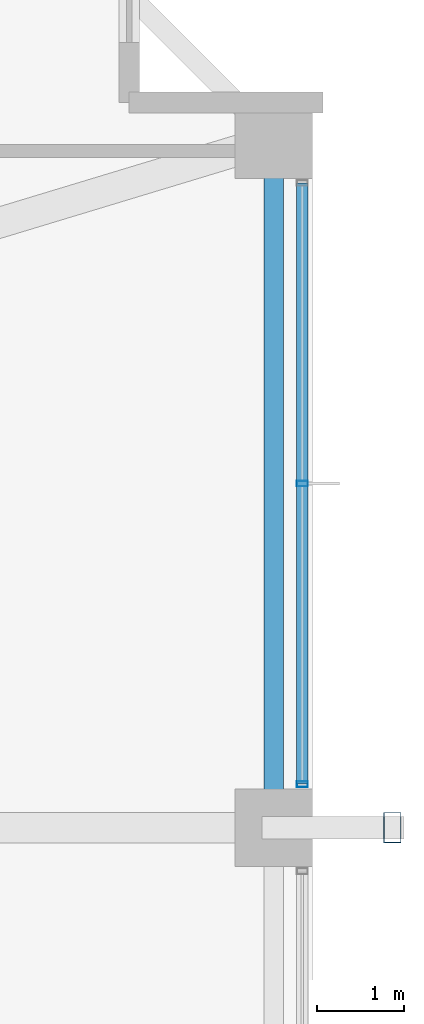
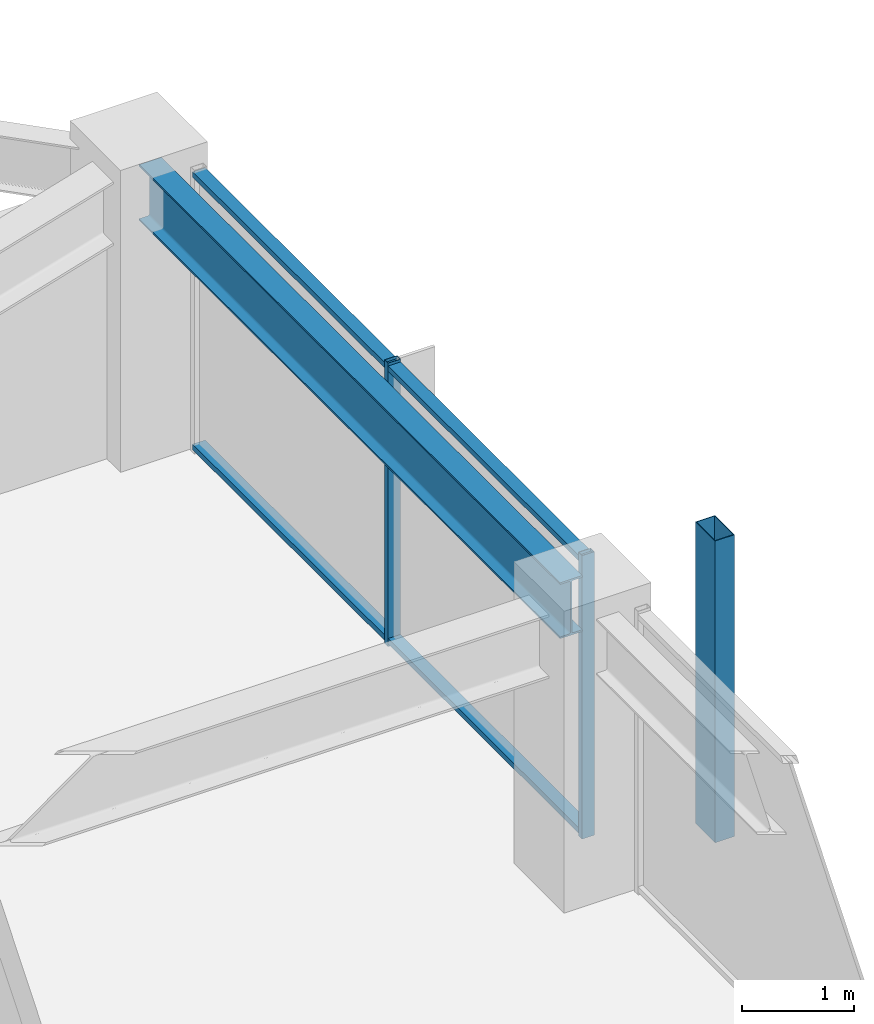
# One storey, part 14 of 32: 5 members, 1 beam, 1 element without a shape of its own.
"""IFC4 building model written with IfcOpenShell, lengths in metres."""

from ifc_helpers import new_model, si_unit, direction, frame, origin, origin_2d, place, context, subcontext, project, spatial, hollow_rectangle, i_section, extrude, material, material_profile, profile_set, type_object, element, aggregate, save


model = new_model("IFC4")

# Units and contexts
model_context = context("Model", 3, precision=1e-05, world=origin(), true_north=direction((0.0, 1.0)))
body_context = subcontext(model_context, "Body", "Model", "MODEL_VIEW")
ifc_project = project(units=[si_unit("LENGTHUNIT", "METRE"), si_unit("AREAUNIT", "SQUARE_METRE"), si_unit("VOLUMEUNIT", "CUBIC_METRE"), si_unit("PLANEANGLEUNIT", "RADIAN"), si_unit("MASSUNIT", "GRAM", prefix="KILO")], contexts=[model_context])

# Site, building, storey
site_placement = place(None, origin())
site = spatial("IfcSite", under=ifc_project, at=site_placement, CompositionType="ELEMENT")
building_placement = place(site_placement, origin())
building = spatial("IfcBuilding", under=site, at=building_placement, Name="Kolvaren Belvedere", CompositionType="ELEMENT")
storey_placement = place(building_placement, frame((0.0, 0.0, 160.199951171875)))
storey = spatial("IfcBuildingStorey", under=building, at=storey_placement, Name="L46", CompositionType="ELEMENT", Elevation=160.199951171875)

# Beam
ifc_material_1 = material(Name="Structural steel ASTM A992 Grade 50", Category="steel")
ifc_material_profile_1 = material_profile(ifc_material_1, i_section(OverallWidth=0.22900390625, OverallDepth=0.612060546875, WebThickness=0.011962890625, FlangeThickness=0.01953125, FilletRadius=0.01806640625, at=origin_2d()), Name="W24X84")
ifc_profile_set_1 = profile_set([ifc_material_profile_1], Name="Structural steel ASTM A992 Grade 50")
beam_type = type_object("IfcBeamType", Name="BM-SPAN-W24X84", PredefinedType="SPANDREL", material=ifc_profile_set_1)
beam_placement = place(storey_placement, frame((18.64990234375, 4.802490234375, 2.7939453125), z_axis=(0.0, 1.0, 0.0), x_axis=(-1.0, 0.0, 0.0)))
element("IfcBeam", 1, at=beam_placement, inside=storey, type_object=beam_type, Name="L46 Perimeter Spandrel E3-E4", PredefinedType="SPANDREL", context=body_context, shape_type="SweptSolid", body=[
    extrude(i_section(OverallWidth=0.22900390625, OverallDepth=0.612060546875, WebThickness=0.011962890625, FlangeThickness=0.01953125, FilletRadius=0.01806640625, at=origin_2d()), origin(), (0.0, 0.0, 1.0), 7.544921875),
])

# Curtain wall, members
ifc_material_2 = material(Name="Anodised pale-metal aluminium AA 6063-T6", Category="aluminium")
curtain_wall_type = type_object("IfcCurtainWallType", Name="CW-Z3-WAIST", PredefinedType="NOTDEFINED", material=ifc_material_2)
curtain_wall_placement = place(storey_placement, origin())
curtain_wall = element("IfcCurtainWall", 2, at=curtain_wall_placement, inside=storey, type_object=curtain_wall_type, Name="L46 Unitised Curtain Wall FCW-L46-E-B1", PredefinedType="NOTDEFINED")
ifc_material_3 = material(Name="Anodised pale-metal aluminium AA 6063-T6", Category="aluminium")
ifc_material_profile_2 = material_profile(ifc_material_3, hollow_rectangle(XDim=0.06494140625, YDim=0.1298828125, WallThickness=0.00390625, at=origin_2d()), Name="ALU-MUL-130X65")
ifc_profile_set_2 = profile_set([ifc_material_profile_2], Name="Anodised pale-metal aluminium AA 6063-T6")
member_type_1 = type_object("IfcMemberType", Name="CW-MUL-130", PredefinedType="MULLION", material=ifc_profile_set_2)
member_1_placement = place(storey_placement, frame((18.97998046875, 8.574951171875, 0.0), z_axis=(0.0, 0.0, 1.0), x_axis=(0.0, 1.0, 0.0)))
member_1 = element("IfcMember", 3, at=member_1_placement, type_object=member_type_1, Name="FCW-L46-E-B1 Unitised Mullion 2", PredefinedType="MULLION", context=body_context, shape_type="SweptSolid", body=[
    extrude(hollow_rectangle(XDim=0.06494140625, YDim=0.1298828125, WallThickness=0.00390625, at=origin_2d()), origin(), (0.0, 0.0, 1.0), 3.10009765625),
])
member_2_placement = place(storey_placement, frame((18.97998046875, 5.1025390625, 0.0), z_axis=(0.0, 0.0, 1.0), x_axis=(0.0, 1.0, 0.0)))
member_2 = element("IfcMember", 4, at=member_2_placement, type_object=member_type_1, Name="FCW-L46-E-B1 Unitised Mullion 3", PredefinedType="MULLION", context=body_context, shape_type="SweptSolid", body=[
    extrude(hollow_rectangle(XDim=0.06494140625, YDim=0.1298828125, WallThickness=0.00390625, at=origin_2d()), origin(), (0.0, 0.0, 1.0), 3.10009765625),
])
ifc_material_4 = material(Name="Anodised pale-metal aluminium AA 6063-T6", Category="aluminium")
ifc_material_profile_3 = material_profile(ifc_material_4, hollow_rectangle(XDim=0.06005859375, YDim=0.1298828125, WallThickness=0.00390625, at=origin_2d()), Name="ALU-TRN-130X60")
ifc_profile_set_3 = profile_set([ifc_material_profile_3], Name="Anodised pale-metal aluminium AA 6063-T6")
member_type_2 = type_object("IfcMemberType", Name="CW-TRN-130", PredefinedType="USERDEFINED", material=ifc_profile_set_3)
member_3_placement = place(storey_placement, frame((18.97998046875, 12.047607421875, 0.06005859375), z_axis=(0.0, -1.0, 0.0), x_axis=(0.0, 0.0, 1.0)))
member_3 = element("IfcMember", 5, at=member_3_placement, type_object=member_type_2, Name="FCW-L46-E-B1 Sill Transom", ObjectType="TRANSOM", PredefinedType="USERDEFINED", context=body_context, shape_type="SweptSolid", body=[
    extrude(hollow_rectangle(XDim=0.06005859375, YDim=0.1298828125, WallThickness=0.00390625, at=origin_2d()), origin(), (0.0, 0.0, 1.0), 6.945068359375),
])
member_4_placement = place(storey_placement, frame((18.97998046875, 12.047607421875, 3.0400390625), z_axis=(0.0, -1.0, 0.0), x_axis=(0.0, 0.0, 1.0)))
member_4 = element("IfcMember", 6, at=member_4_placement, type_object=member_type_2, Name="FCW-L46-E-B1 Head Transom", ObjectType="TRANSOM", PredefinedType="USERDEFINED", context=body_context, shape_type="SweptSolid", body=[
    extrude(hollow_rectangle(XDim=0.06005859375, YDim=0.1298828125, WallThickness=0.00390625, at=origin_2d()), origin(), (0.0, 0.0, 1.0), 6.945068359375),
])
aggregate(curtain_wall, [member_1, member_2, member_3, member_4])

# Member
ifc_material_5 = material(Name="Anodised pale-metal aluminium AA 6063-T6", Category="aluminium")
ifc_material_profile_4 = material_profile(ifc_material_5, hollow_rectangle(XDim=0.199951171875, YDim=0.35009765625, WallThickness=0.007568359375, at=origin_2d()), Name="ALU-PF-350X200")
ifc_profile_set_4 = profile_set([ifc_material_profile_4], Name="Anodised pale-metal aluminium AA 6063-T6")
member_type_3 = type_object("IfcMemberType", Name="PF-FRAME-350", PredefinedType="USERDEFINED", material=ifc_profile_set_4)
member_5_placement = place(storey_placement, frame((20.02001953125, 4.60009765625, 0.0), z_axis=(0.0, 0.0, 1.0), x_axis=(1.0, 0.0, 0.0)))
element("IfcMember", 7, at=member_5_placement, inside=storey, type_object=member_type_3, Name="L46 Outboard Picture-Frame Vertical E1", ObjectType="PICTURE FRAME FIN", PredefinedType="USERDEFINED", context=body_context, shape_type="SweptSolid", body=[
    extrude(hollow_rectangle(XDim=0.199951171875, YDim=0.35009765625, WallThickness=0.007568359375, at=origin_2d()), origin(), (0.0, 0.0, 1.0), 3.300048828125),
])

save(model, "model.ifc")
